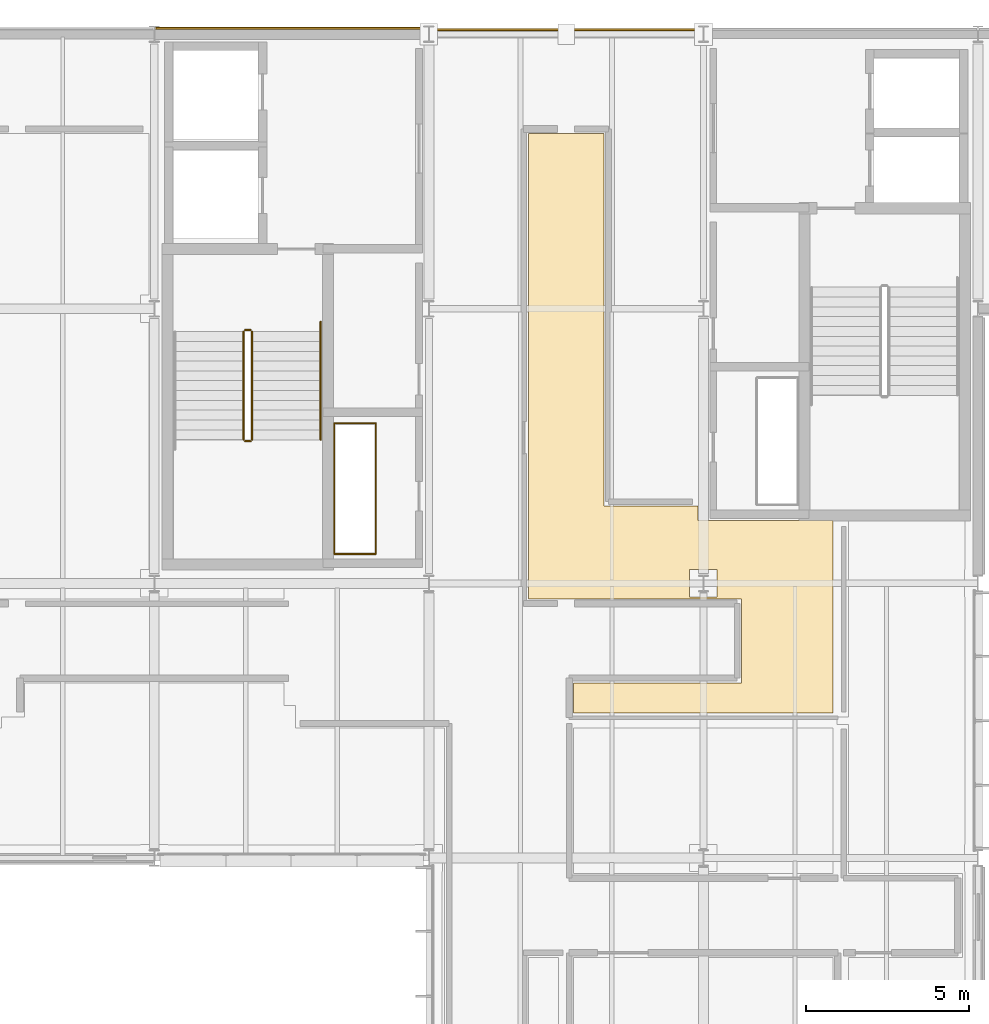
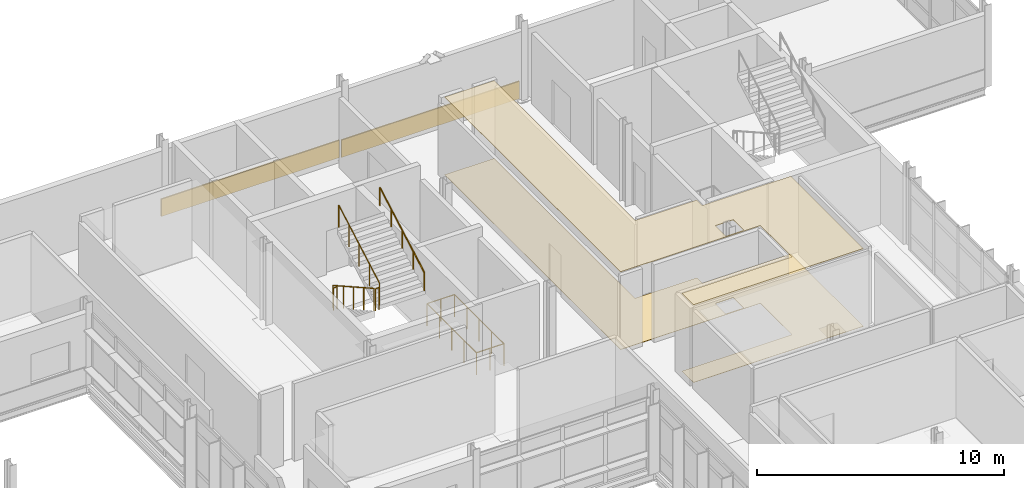
# One storey, part 150 of 151: 6 railings, 4 coverings.
"""IFC4 building model written with IfcOpenShell, lengths in metres."""

from ifc_helpers import new_model, si_unit, direction, frame, origin, origin_2d, place, context, subcontext, project, spatial, polyline, rectangle, circle, outline, extrude, material, layer, layer_set, type_object, element, save


model = new_model("IFC4")

# Units and contexts
model_context = context("Model", 3, precision=1e-05, world=origin(), true_north=direction((0.0, 1.0)))
body_context = subcontext(model_context, "Body", "Model", "MODEL_VIEW")
ifc_project = project(units=[si_unit("LENGTHUNIT", "METRE"), si_unit("AREAUNIT", "SQUARE_METRE"), si_unit("VOLUMEUNIT", "CUBIC_METRE"), si_unit("PLANEANGLEUNIT", "RADIAN"), si_unit("MASSUNIT", "GRAM", prefix="KILO")], contexts=[model_context])

# Site, building, storey
site_placement = place(None, origin())
site = spatial("IfcSite", under=ifc_project, at=site_placement, CompositionType="ELEMENT")
building_placement = place(site_placement, origin())
building = spatial("IfcBuilding", under=site, at=building_placement, Name="Mersafa Astral City Hall", CompositionType="ELEMENT")
storey_placement = place(building_placement, frame((0.0, 0.0, 9.89990234375)))
storey = spatial("IfcBuildingStorey", under=building, at=storey_placement, Name="L02", CompositionType="ELEMENT", Elevation=9.89990234375)

# Coverings
ifc_material_1 = material(Name="Cairo Mokattam buff limestone cladding", Category="masonry")
ifc_layer_1 = layer(ifc_material_1, 0.06005859375, Name="Cairo Mokattam buff limestone cladding")
ifc_layer_set_1 = layer_set([ifc_layer_1], Name="Cairo Mokattam buff limestone cladding — ENV-COV-LIMESTONE-60")
covering_type_1 = type_object("IfcCoveringType", Name="ENV-COV-LIMESTONE-60", PredefinedType="CLADDING", material=ifc_layer_set_1)
for number, where, z_axis, x_axis, name in (
    (1, (163.800048828125, 126.139404296875, 0.0), (0.0, 0.0, 1.0), (-1.0, 0.0, 0.0), "L02 Cairo buff limestone rainscreen cladding 178"),
    (2, (155.39990234375, 126.177001953125, 0.0), (0.0, 0.0, 1.0), (-1.0, 0.0, 0.0), "L02 Cairo buff limestone rainscreen cladding 179"),
):
    element("IfcCovering", number, at=place(storey_placement, frame(where, z_axis=z_axis, x_axis=x_axis)), inside=storey, type_object=covering_type_1, Name=name, PredefinedType="CLADDING", context=body_context, shape_type="SweptSolid", body=[
        extrude(rectangle(XDim=8.323974609375, YDim=0.06005859375, at=origin_2d()), origin(), (0.0, 0.0, 1.0), 0.860107421875),
    ])

# Railings
ifc_material_2 = material(Name="Painted architectural steel stair guard balustrade", Category="steel")
railing_type_1 = type_object("IfcRailingType", Name="GUARD-RAIL", PredefinedType="BALUSTRADE", material=ifc_material_2)
railing_1_placement = place(storey_placement, frame((153.929931640625, 116.89990234375, 0.1689453125)))
element("IfcRailing", 3, at=railing_1_placement, inside=storey, type_object=railing_type_1, Name="L02 ST1 stair guard 1", PredefinedType="BALUSTRADE", context=body_context, shape_type="SweptSolid", body=[
    extrude(circle(Radius=0.02392578125, at=origin_2d()), frame((0.0, 0.0, 1.09619140625), z_axis=(0.0, -0.871568648517, 0.490273485845), x_axis=(1.0, 0.0, 0.0)), (0.0, 0.0, 1.0), 3.7861328125),
    extrude(circle(Radius=0.02099609375, at=origin_2d()), origin(), (0.0, 0.0, 1.0), 1.072021484375),
    extrude(circle(Radius=0.02099609375, at=origin_2d()), frame((0.0, -0.824951171875, 0.464111328125)), (0.0, 0.0, 1.0), 1.072021484375),
    extrude(circle(Radius=0.02099609375, at=origin_2d()), frame((0.0, -1.64990234375, 0.92822265625)), (0.0, 0.0, 1.0), 1.072021484375),
    extrude(circle(Radius=0.02099609375, at=origin_2d()), frame((0.0, -2.474853515625, 1.39208984375)), (0.0, 0.0, 1.0), 1.072021484375),
    extrude(circle(Radius=0.02099609375, at=origin_2d()), frame((0.0, -3.2998046875, 1.856201171875)), (0.0, 0.0, 1.0), 1.072021484375),
])
railing_2_placement = place(storey_placement, frame((153.97998046875, 113.550048828125, 2.025146484375)))
element("IfcRailing", 4, at=railing_2_placement, inside=storey, type_object=railing_type_1, Name="L02 ST1 stair guard 2", PredefinedType="BALUSTRADE", context=body_context, shape_type="SweptSolid", body=[
    extrude(circle(Radius=0.02392578125, at=origin_2d()), frame((0.0, 0.0, 1.09619140625), z_axis=(1.0, 0.0, 0.0), x_axis=(0.0, 1.0, 0.0)), (0.0, 0.0, 1.0), 0.159912109375),
    extrude(circle(Radius=0.02099609375, at=origin_2d()), origin(), (0.0, 0.0, 1.0), 1.072021484375),
    extrude(circle(Radius=0.02099609375, at=origin_2d()), frame((0.159912109375, 0.0, 0.0)), (0.0, 0.0, 1.0), 1.072021484375),
])
railing_3_placement = place(storey_placement, frame((154.18994140625, 113.60009765625, 2.19384765625)))
element("IfcRailing", 5, at=railing_3_placement, inside=storey, type_object=railing_type_1, Name="L02 ST1 stair guard 3", PredefinedType="BALUSTRADE", context=body_context, shape_type="SweptSolid", body=[
    extrude(circle(Radius=0.02392578125, at=origin_2d()), frame((0.0, 0.0, 1.09619140625), z_axis=(0.0, 0.871568648517, 0.490273485845), x_axis=(-1.0, 0.0, 0.0)), (0.0, 0.0, 1.0), 3.7861328125),
    extrude(circle(Radius=0.02099609375, at=origin_2d()), origin(), (0.0, 0.0, 1.0), 1.072021484375),
    extrude(circle(Radius=0.02099609375, at=origin_2d()), frame((0.0, 0.824951171875, 0.464111328125)), (0.0, 0.0, 1.0), 1.072021484375),
    extrude(circle(Radius=0.02099609375, at=origin_2d()), frame((0.0, 1.64990234375, 0.92822265625)), (0.0, 0.0, 1.0), 1.072021484375),
    extrude(circle(Radius=0.02099609375, at=origin_2d()), frame((0.0, 2.474853515625, 1.39208984375)), (0.0, 0.0, 1.0), 1.072021484375),
    extrude(circle(Radius=0.02099609375, at=origin_2d()), frame((0.0, 3.2998046875, 1.856201171875)), (0.0, 0.0, 1.0), 1.072021484375),
])
railing_4_placement = place(storey_placement, frame((153.97998046875, 116.949951171875, 0.0)))
element("IfcRailing", 6, at=railing_4_placement, inside=storey, type_object=railing_type_1, Name="L02 ST1 stair guard 4", PredefinedType="BALUSTRADE", context=body_context, shape_type="SweptSolid", body=[
    extrude(circle(Radius=0.02392578125, at=origin_2d()), frame((0.0, 0.0, 1.09619140625), z_axis=(1.0, 0.0, 0.0), x_axis=(0.0, 1.0, 0.0)), (0.0, 0.0, 1.0), 0.159912109375),
    extrude(circle(Radius=0.02099609375, at=origin_2d()), origin(), (0.0, 0.0, 1.0), 1.072021484375),
    extrude(circle(Radius=0.02099609375, at=origin_2d()), frame((0.159912109375, 0.0, 0.0)), (0.0, 0.0, 1.0), 1.072021484375),
])
railing_5_placement = place(storey_placement, frame((156.699951171875, 110.10009765625, 0.0)))
element("IfcRailing", 7, at=railing_5_placement, inside=storey, type_object=railing_type_1, Name="L02 K1 MEP Riser Shaft Guard", PredefinedType="BALUSTRADE", context=body_context, shape_type="SweptSolid", body=[
    extrude(circle(Radius=0.02392578125, at=origin_2d()), frame((0.0, 0.0, 1.09619140625), z_axis=(1.0, 0.0, 0.0), x_axis=(0.0, 1.0, 0.0)), (0.0, 0.0, 1.0), 1.280029296875),
    extrude(circle(Radius=0.02392578125, at=origin_2d()), frame((1.280029296875, 0.0, 1.09619140625), z_axis=(0.0, 1.0, 0.0), x_axis=(-1.0, 0.0, 0.0)), (0.0, 0.0, 1.0), 4.0),
    extrude(circle(Radius=0.02392578125, at=origin_2d()), frame((1.280029296875, 4.0, 1.09619140625), z_axis=(-1.0, 0.0, 0.0), x_axis=(0.0, -1.0, 0.0)), (0.0, 0.0, 1.0), 1.280029296875),
    extrude(circle(Radius=0.02392578125, at=origin_2d()), frame((0.0, 4.0, 1.09619140625), z_axis=(0.0, -1.0, 0.0), x_axis=(1.0, 0.0, 0.0)), (0.0, 0.0, 1.0), 4.0),
    extrude(circle(Radius=0.02099609375, at=origin_2d()), origin(), (0.0, 0.0, 1.0), 1.072021484375),
    extrude(circle(Radius=0.02099609375, at=origin_2d()), frame((0.64013671875, 0.0, 0.0)), (0.0, 0.0, 1.0), 1.072021484375),
    extrude(circle(Radius=0.02099609375, at=origin_2d()), frame((1.280029296875, 0.0, 0.0)), (0.0, 0.0, 1.0), 1.072021484375),
    extrude(circle(Radius=0.02099609375, at=origin_2d()), frame((1.280029296875, 1.0, 0.0)), (0.0, 0.0, 1.0), 1.072021484375),
    extrude(circle(Radius=0.02099609375, at=origin_2d()), frame((1.280029296875, 2.0, 0.0)), (0.0, 0.0, 1.0), 1.072021484375),
    extrude(circle(Radius=0.02099609375, at=origin_2d()), frame((1.280029296875, 3.0, 0.0)), (0.0, 0.0, 1.0), 1.072021484375),
    extrude(circle(Radius=0.02099609375, at=origin_2d()), frame((1.280029296875, 4.0, 0.0)), (0.0, 0.0, 1.0), 1.072021484375),
    extrude(circle(Radius=0.02099609375, at=origin_2d()), frame((0.64013671875, 4.0, 0.0)), (0.0, 0.0, 1.0), 1.072021484375),
    extrude(circle(Radius=0.02099609375, at=origin_2d()), frame((0.0, 4.0, 0.0)), (0.0, 0.0, 1.0), 1.072021484375),
    extrude(circle(Radius=0.02099609375, at=origin_2d()), frame((0.0, 3.0, 0.0)), (0.0, 0.0, 1.0), 1.072021484375),
    extrude(circle(Radius=0.02099609375, at=origin_2d()), frame((0.0, 2.0, 0.0)), (0.0, 0.0, 1.0), 1.072021484375),
    extrude(circle(Radius=0.02099609375, at=origin_2d()), frame((0.0, 1.0, 0.0)), (0.0, 0.0, 1.0), 1.072021484375),
])
ifc_material_3 = material(Name="Brushed stainless steel tubular handrail", Category="steel")
railing_type_2 = type_object("IfcRailingType", Name="HANDRAIL", PredefinedType="HANDRAIL", material=ifc_material_3)
railing_6_placement = place(storey_placement, frame((156.2900390625, 113.60009765625, 2.19384765625)))
element("IfcRailing", 8, at=railing_6_placement, inside=storey, type_object=railing_type_2, Name="L02 ST1 stair handrail 2", PredefinedType="HANDRAIL", context=body_context, shape_type="SweptSolid", body=[
    extrude(circle(Radius=0.02392578125, at=origin_2d()), frame((0.0, 0.0, 0.8759765625), z_axis=(0.0, 0.871248695433, 0.49084183879), x_axis=(-1.0, 0.0, 0.0)), (0.0, 0.0, 1.0), 4.1318359375),
    extrude(circle(Radius=0.02099609375, at=origin_2d()), origin(), (0.0, 0.0, 1.0), 0.851806640625),
    extrude(circle(Radius=0.02099609375, at=origin_2d()), frame((0.0, 0.89990234375, 0.507080078125)), (0.0, 0.0, 1.0), 0.851806640625),
    extrude(circle(Radius=0.02099609375, at=origin_2d()), frame((0.0, 1.7998046875, 1.01416015625)), (0.0, 0.0, 1.0), 0.851806640625),
    extrude(circle(Radius=0.02099609375, at=origin_2d()), frame((0.0, 2.699951171875, 1.52099609375)), (0.0, 0.0, 1.0), 0.851806640625),
    extrude(circle(Radius=0.02099609375, at=origin_2d()), frame((0.0, 3.599853515625, 2.028076171875)), (0.0, 0.0, 1.0), 0.851806640625),
])

# Coverings
ifc_material_4 = material(Name="Perforated acoustic gypsum board ceiling", Category="gypsum")
ifc_layer_2 = layer(ifc_material_4, 0.02490234375, Name="Perforated acoustic gypsum board ceiling")
ifc_layer_set_2 = layer_set([ifc_layer_2], Name="Perforated acoustic gypsum board ceiling — INT-COV-CEIL-25")
covering_type_2 = type_object("IfcCoveringType", Name="INT-COV-CEIL-25", PredefinedType="CEILING", material=ifc_layer_set_2)
covering_1_placement = place(storey_placement, frame((0.0, 0.0, 3.8310546875)))
element("IfcCovering", 9, at=covering_1_placement, inside=storey, type_object=covering_type_2, Name="L02 Urban Planning Studio L02-16 acoustic ceiling", PredefinedType="CEILING", context=body_context, shape_type="SweptSolid", body=[
    extrude(outline(polyline([(162.639892578125, 122.9599609375), (164.9599609375, 122.9599609375), (164.9599609375, 111.56005859375), (167.840087890625, 111.56005859375), (167.840087890625, 111.1201171875), (171.969970703125, 111.1201171875), (171.969970703125, 105.22998046875), (164.030029296875, 105.22998046875), (164.030029296875, 106.159912109375), (169.169921875, 106.159912109375), (169.169921875, 108.719970703125), (162.639892578125, 108.719970703125), (162.639892578125, 122.9599609375)]), holes=[polyline([(167.580078125, 108.780029296875), (168.419921875, 108.780029296875), (168.419921875, 109.6201171875), (167.580078125, 109.6201171875), (167.580078125, 108.780029296875)])]), origin(), (0.0, 0.0, 1.0), 0.025146484375),
])
ifc_material_5 = material(Name="Heavy-duty woven acoustic carpet tile", Category="finish")
ifc_layer_3 = layer(ifc_material_5, 0.014892578125, Name="Heavy-duty woven acoustic carpet tile")
ifc_layer_set_3 = layer_set([ifc_layer_3], Name="Heavy-duty woven acoustic carpet tile — INT-COV-FLR-15")
covering_type_3 = type_object("IfcCoveringType", Name="INT-COV-FLR-15", PredefinedType="FLOORING", material=ifc_layer_set_3)
covering_2_placement = place(storey_placement, frame((0.0, 0.0, -0.00146484375)))
element("IfcCovering", 10, at=covering_2_placement, inside=storey, type_object=covering_type_3, Name="L02 Urban Planning Studio L02-16 architectural flooring", PredefinedType="FLOORING", context=body_context, shape_type="SweptSolid", body=[
    extrude(outline(polyline([(162.639892578125, 122.9599609375), (164.9599609375, 122.9599609375), (164.9599609375, 111.56005859375), (167.840087890625, 111.56005859375), (167.840087890625, 111.1201171875), (171.969970703125, 111.1201171875), (171.969970703125, 105.22998046875), (164.030029296875, 105.22998046875), (164.030029296875, 106.159912109375), (169.169921875, 106.159912109375), (169.169921875, 108.719970703125), (162.639892578125, 108.719970703125), (162.639892578125, 122.9599609375)]), holes=[polyline([(167.580078125, 108.780029296875), (168.419921875, 108.780029296875), (168.419921875, 109.6201171875), (167.580078125, 109.6201171875), (167.580078125, 108.780029296875)])]), origin(), (0.0, 0.0, 1.0), 0.014892578125),
])

save(model, "model.ifc")
